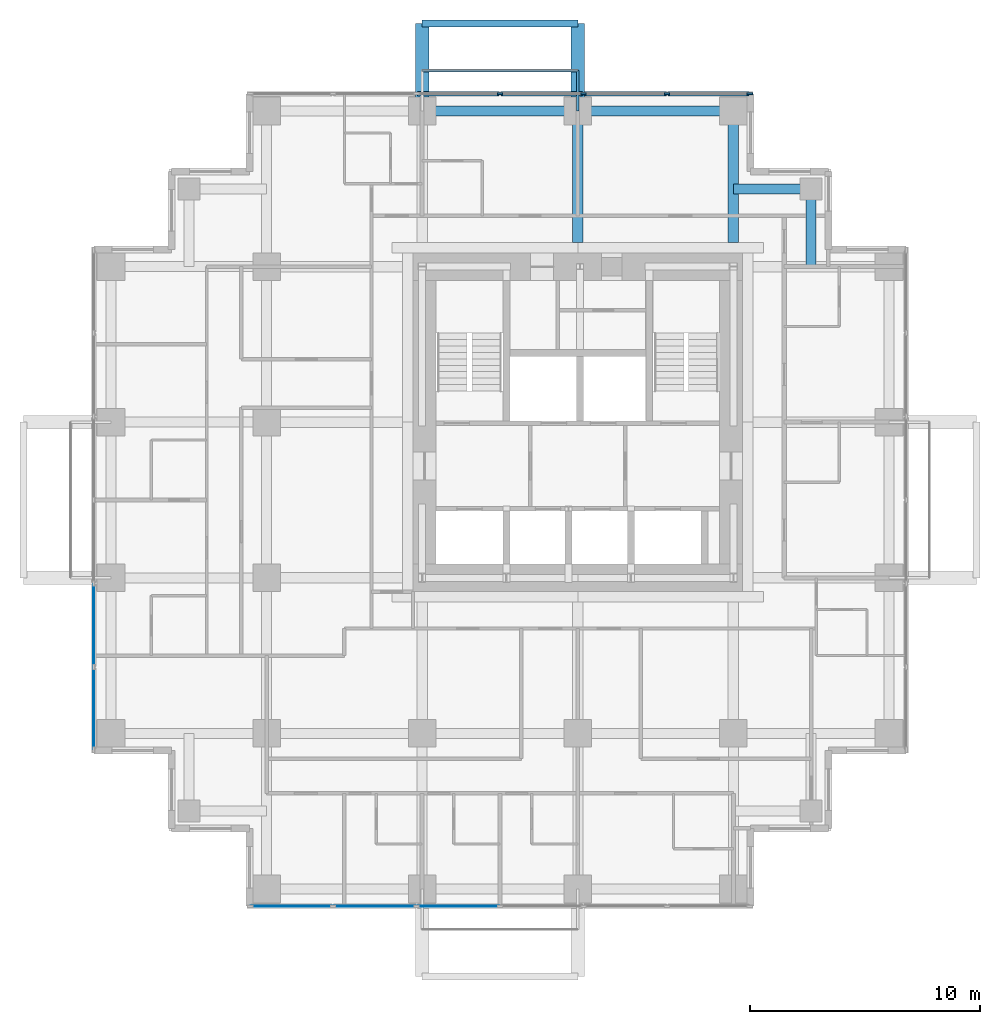
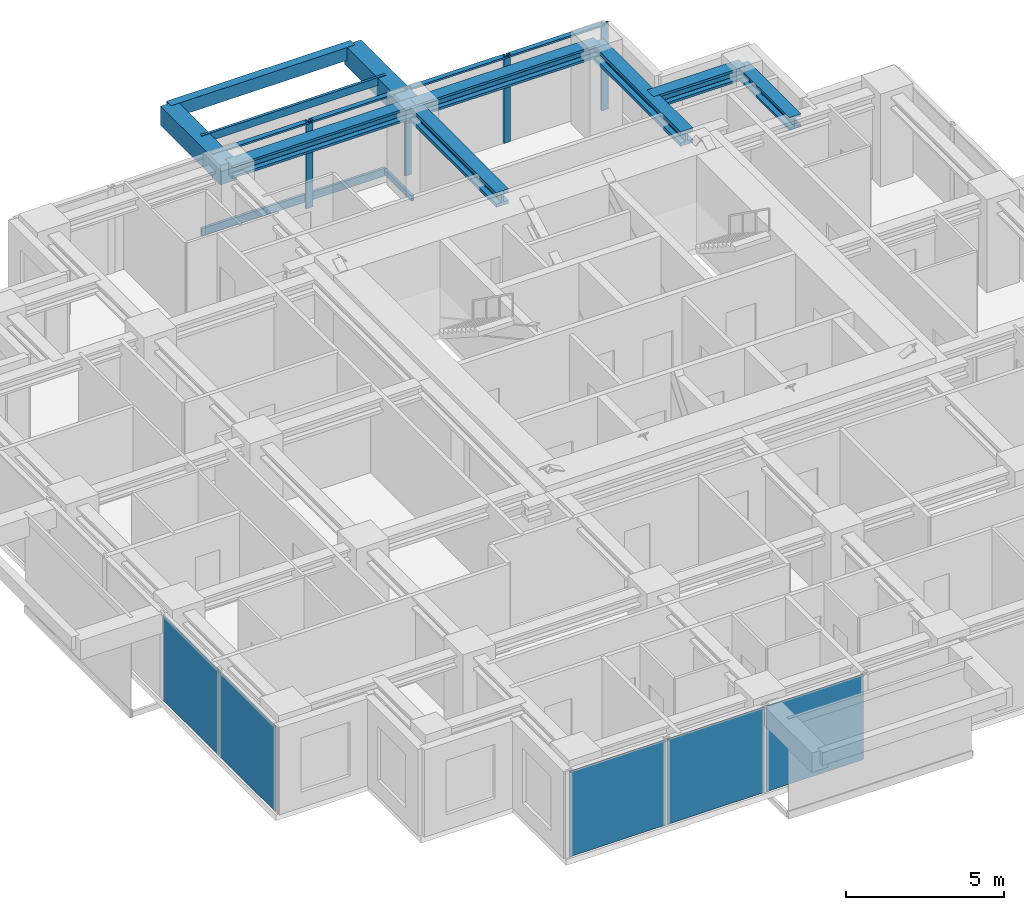
# One storey, part 4 of 10: 11 members, 9 beams, 5 plates, 3 elements without a shape of their own.
"""IFC4 building model written with IfcOpenShell, lengths in metres."""

from ifc_helpers import new_model, si_unit, direction, frame, origin, origin_2d, place, context, subcontext, project, spatial, rectangle, hollow_rectangle, i_section, extrude, material, layer, layer_set, material_profile, profile_set, type_object, element, aggregate, save


model = new_model("IFC4")

# Units and contexts
model_context = context("Model", 3, precision=1e-05, world=origin(), true_north=direction((0.0, 1.0)))
body_context = subcontext(model_context, "Body", "Model", "MODEL_VIEW")
ifc_project = project(units=[si_unit("LENGTHUNIT", "METRE"), si_unit("AREAUNIT", "SQUARE_METRE"), si_unit("VOLUMEUNIT", "CUBIC_METRE"), si_unit("PLANEANGLEUNIT", "RADIAN"), si_unit("MASSUNIT", "GRAM", prefix="KILO")], contexts=[model_context])

# Site, building, storey
site_placement = place(None, origin())
site = spatial("IfcSite", under=ifc_project, at=site_placement, CompositionType="ELEMENT")
building_placement = place(site_placement, origin())
building = spatial("IfcBuilding", under=site, at=building_placement, Name="Nyansa Garden Tower", CompositionType="ELEMENT")
storey_placement = place(building_placement, frame((0.0, 0.0, 174.60009765625)))
storey = spatial("IfcBuildingStorey", under=building, at=storey_placement, Name="L47", CompositionType="ELEMENT", Elevation=174.60009765625)

# Beams
ifc_material_1 = material(Name="Concrete C70/85", Category="concrete")
ifc_material_profile_1 = material_profile(ifc_material_1, rectangle(XDim=0.60009765625, YDim=0.75, at=origin_2d()), Name="RC 600x750")
ifc_profile_set_1 = profile_set([ifc_material_profile_1], Name="Concrete C70/85")
beam_type_1 = type_object("IfcBeamType", Name="Balcony cantilever beam CB1 RC 600x750", PredefinedType="BEAM", material=ifc_profile_set_1)
for number, where, z_axis, x_axis, name in (
    (1, (13.5, 33.75, 2.98486328125), (0.0, 1.0, 0.0), (-1.0, 0.0, 0.0), "Balcony cantilever beam L48"),
    (2, (20.25, 33.75, 2.98486328125), (0.0, 1.0, 0.0), (-1.0, 0.0, 0.0), "Balcony cantilever beam L48"),
):
    element("IfcBeam", number, at=place(storey_placement, frame(where, z_axis=z_axis, x_axis=x_axis)), inside=storey, type_object=beam_type_1, Name=name, PredefinedType="BEAM", context=body_context, shape_type="SweptSolid", body=[
        extrude(rectangle(XDim=0.60009765625, YDim=0.75, at=origin_2d()), origin(), (0.0, 0.0, 1.0), 3.800048828125),
    ])
ifc_material_2 = material(Name="Concrete C70/85", Category="concrete")
ifc_material_profile_2 = material_profile(ifc_material_2, rectangle(XDim=0.300048828125, YDim=0.5, at=origin_2d()), Name="RC 300x500")
ifc_profile_set_2 = profile_set([ifc_material_profile_2], Name="Concrete C70/85")
beam_type_2 = type_object("IfcBeamType", Name="Balcony edge beam BE1 RC 300x500", PredefinedType="BEAM", material=ifc_profile_set_2)
beam_placement = place(storey_placement, frame((13.5, 37.550048828125, 3.10986328125), z_axis=(1.0, 0.0, 0.0), x_axis=(0.0, 1.0, 0.0)))
element("IfcBeam", 3, at=beam_placement, inside=storey, type_object=beam_type_2, Name="Balcony edge beam L48", PredefinedType="BEAM", context=body_context, shape_type="SweptSolid", body=[
    extrude(rectangle(XDim=0.300048828125, YDim=0.5, at=origin_2d()), origin(), (0.0, 0.0, 1.0), 6.75),
])

# Curtain wall, members
ifc_material_3 = material(Name="Black anodised aluminium, dark tinted double glazing", Category="aluminium")
curtain_wall_type = type_object("IfcCurtainWallType", Name="Inner skin curtain wall ISW-C", PredefinedType="USERDEFINED", material=ifc_material_3)
curtain_wall_1_placement = place(storey_placement, origin())
curtain_wall_1 = element("IfcCurtainWall", 4, at=curtain_wall_1_placement, inside=storey, type_object=curtain_wall_type, Name="Inner skin curtain wall L47 N", ObjectType="UNITISED CURTAIN WALL", PredefinedType="USERDEFINED")
ifc_material_4 = material(Name="Black anodised aluminium", Category="aluminium")
ifc_material_profile_3 = material_profile(ifc_material_4, rectangle(XDim=0.070068359375, YDim=0.25, at=origin_2d()), Name="Mullion 250x70")
ifc_profile_set_3 = profile_set([ifc_material_profile_3], Name="Black anodised aluminium")
member_type_1 = type_object("IfcMemberType", Name="Mullion ISW-C 250x70", PredefinedType="MULLION", material=ifc_profile_set_3)
member_1_placement = place(storey_placement, frame((27.715087890625, 34.5, 0.0), z_axis=(0.0, 0.0, 1.0), x_axis=(0.0, -1.0, 0.0)))
member_1 = element("IfcMember", 5, at=member_1_placement, type_object=member_type_1, Name="ISW-C mullion 1", PredefinedType="MULLION", context=body_context, shape_type="SweptSolid", body=[
    extrude(rectangle(XDim=0.070068359375, YDim=0.25, at=origin_2d()), origin(), (0.0, 0.0, 1.0), 3.375),
])
member_2_placement = place(storey_placement, frame((24.125, 34.5, 0.0), z_axis=(0.0, 0.0, 1.0), x_axis=(0.0, -1.0, 0.0)))
member_2 = element("IfcMember", 6, at=member_2_placement, type_object=member_type_1, Name="ISW-C mullion 2", PredefinedType="MULLION", context=body_context, shape_type="SweptSolid", body=[
    extrude(rectangle(XDim=0.070068359375, YDim=0.25, at=origin_2d()), origin(), (0.0, 0.0, 1.0), 3.375),
])
member_3_placement = place(storey_placement, frame((20.5, 34.5, 0.0), z_axis=(0.0, 0.0, 1.0), x_axis=(0.0, -1.0, 0.0)))
member_3 = element("IfcMember", 7, at=member_3_placement, type_object=member_type_1, Name="ISW-C mullion 3", PredefinedType="MULLION", context=body_context, shape_type="SweptSolid", body=[
    extrude(rectangle(XDim=0.070068359375, YDim=0.25, at=origin_2d()), origin(), (0.0, 0.0, 1.0), 3.375),
])
member_4_placement = place(storey_placement, frame((16.875, 34.5, 0.0), z_axis=(0.0, 0.0, 1.0), x_axis=(0.0, -1.0, 0.0)))
member_4 = element("IfcMember", 8, at=member_4_placement, type_object=member_type_1, Name="ISW-C mullion 4", PredefinedType="MULLION", context=body_context, shape_type="SweptSolid", body=[
    extrude(rectangle(XDim=0.070068359375, YDim=0.25, at=origin_2d()), origin(), (0.0, 0.0, 1.0), 3.375),
])

# Members
ifc_material_5 = material(Name="Steel S355, black powder coated", Category="steel")
ifc_material_profile_4 = material_profile(ifc_material_5, hollow_rectangle(XDim=0.10009765625, YDim=0.199951171875, WallThickness=0.008056640625, at=origin_2d()), Name="RHS 200x100x8")
ifc_profile_set_4 = profile_set([ifc_material_profile_4], Name="Steel S355, black powder coated")
member_type_2 = type_object("IfcMemberType", Name="Outer skin bracket arm RHS 200x100x8", PredefinedType="USERDEFINED", material=ifc_profile_set_4)
member_5_placement = place(storey_placement, frame((20.25, 33.75, -0.375), z_axis=(0.0, 1.0, 0.0), x_axis=(-1.0, 0.0, 0.0)))
element("IfcMember", 9, at=member_5_placement, inside=storey, type_object=member_type_2, Name="Outer skin bracket arm", ObjectType="OUTER SKIN BRACKET", PredefinedType="USERDEFINED", context=body_context, shape_type="SweptSolid", body=[
    extrude(hollow_rectangle(XDim=0.10009765625, YDim=0.199951171875, WallThickness=0.008056640625, at=origin_2d()), origin(), (0.0, 0.0, 1.0), 1.75),
])
ifc_material_6 = material(Name="Steel S355, black powder coated", Category="steel")
ifc_material_profile_5 = material_profile(ifc_material_6, hollow_rectangle(XDim=0.10009765625, YDim=0.300048828125, WallThickness=0.010009765625, at=origin_2d()), Name="RHS 300x100x10")
ifc_profile_set_5 = profile_set([ifc_material_profile_5], Name="Steel S355, black powder coated")
member_type_3 = type_object("IfcMemberType", Name="Outer skin rail RHS 300x100x10", PredefinedType="USERDEFINED", material=ifc_profile_set_5)
for number, where, z_axis, x_axis, name in (
    (10, (13.5, 35.5, -0.375), (1.0, 0.0, 0.0), (0.0, 1.0, 0.0), "Outer skin rail L47"),
    (11, (13.5, 35.5, 3.224853515625), (1.0, 0.0, 0.0), (0.0, 1.0, 0.0), "Outer skin rail L47 head"),
):
    element("IfcMember", number, at=place(storey_placement, frame(where, z_axis=z_axis, x_axis=x_axis)), inside=storey, type_object=member_type_3, Name=name, ObjectType="OUTER SKIN RAIL", PredefinedType="USERDEFINED", context=body_context, shape_type="SweptSolid", body=[
        extrude(hollow_rectangle(XDim=0.10009765625, YDim=0.300048828125, WallThickness=0.010009765625, at=origin_2d()), origin(), (0.0, 0.0, 1.0), 6.75),
    ])

# Beams
ifc_material_7 = material(Name="Steel S355", Category="steel")
ifc_material_profile_6 = material_profile(ifc_material_7, i_section(OverallWidth=0.4541015625, OverallDepth=0.569091796875, WebThickness=0.077880859375, FlangeThickness=0.125, FilletRadius=0.014892578125, at=origin_2d()), Name="HD 400x1086")
ifc_profile_set_6 = profile_set([ifc_material_profile_6], Name="Steel S355")
beam_type_3 = type_object("IfcBeamType", Name="Steel beam SCL-1086 HD 400x1086", PredefinedType="BEAM", material=ifc_profile_set_6)
for number, where, z_axis, x_axis, name in (
    (12, (20.25, 28.050048828125, 3.09033203125), (0.0, 1.0, 0.0), (-1.0, 0.0, 0.0), "Steel beam 5/28.050-5/J L48"),
    (13, (27.0, 28.050048828125, 3.09033203125), (0.0, 1.0, 0.0), (-1.0, 0.0, 0.0), "Steel beam 6/28.050-6/J L48"),
):
    element("IfcBeam", number, at=place(storey_placement, frame(where, z_axis=z_axis, x_axis=x_axis)), inside=storey, type_object=beam_type_3, Name=name, PredefinedType="BEAM", context=body_context, shape_type="SweptSolid", body=[
        extrude(i_section(OverallWidth=0.4541015625, OverallDepth=0.569091796875, WebThickness=0.077880859375, FlangeThickness=0.125, FilletRadius=0.014892578125, at=origin_2d()), origin(), (0.0, 0.0, 1.0), 5.699951171875),
    ])
ifc_material_8 = material(Name="Steel S355", Category="steel")
ifc_material_profile_7 = material_profile(ifc_material_8, i_section(OverallWidth=0.431884765625, OverallDepth=0.498046875, WebThickness=0.0556640625, FlangeThickness=0.0888671875, FilletRadius=0.014892578125, at=origin_2d()), Name="HD 400x744")
ifc_profile_set_7 = profile_set([ifc_material_profile_7], Name="Steel S355")
beam_type_4 = type_object("IfcBeamType", Name="Steel beam SEBC-744 HD 400x744", PredefinedType="BEAM", material=ifc_profile_set_7)
for number, where, z_axis, x_axis, name in (
    (14, (13.5, 33.75, 3.1259765625), (1.0, 0.0, 0.0), (0.0, 1.0, 0.0), "Steel edge beam 4/J-5/J L48"),
    (15, (20.25, 33.75, 3.1259765625), (1.0, 0.0, 0.0), (0.0, 1.0, 0.0), "Steel edge beam 5/J-6/J L48"),
):
    element("IfcBeam", number, at=place(storey_placement, frame(where, z_axis=z_axis, x_axis=x_axis)), inside=storey, type_object=beam_type_4, Name=name, PredefinedType="BEAM", context=body_context, shape_type="SweptSolid", body=[
        extrude(i_section(OverallWidth=0.431884765625, OverallDepth=0.498046875, WebThickness=0.0556640625, FlangeThickness=0.0888671875, FilletRadius=0.014892578125, at=origin_2d()), origin(), (0.0, 0.0, 1.0), 6.75),
    ])
ifc_material_9 = material(Name="Steel S355", Category="steel")
ifc_material_profile_8 = material_profile(ifc_material_9, i_section(OverallWidth=0.431884765625, OverallDepth=0.498046875, WebThickness=0.0556640625, FlangeThickness=0.0888671875, FilletRadius=0.014892578125, at=origin_2d()), Name="HD 400x744")
ifc_profile_set_8 = profile_set([ifc_material_profile_8], Name="Steel S355")
beam_type_5 = type_object("IfcBeamType", Name="Steel beam SSB1-744 HD 400x744", PredefinedType="BEAM", material=ifc_profile_set_8)
for number, where, z_axis, x_axis, name in (
    (16, (30.375, 30.375, 3.1259765625), (0.0, -1.0, 0.0), (1.0, 0.0, 0.0), "Steel step beam 30.375/30.375 L48"),
    (17, (30.375, 30.375, 3.1259765625), (-1.0, 0.0, 0.0), (0.0, -1.0, 0.0), "Steel step beam 30.375/30.375 L48"),
):
    element("IfcBeam", number, at=place(storey_placement, frame(where, z_axis=z_axis, x_axis=x_axis)), inside=storey, type_object=beam_type_5, Name=name, PredefinedType="BEAM", context=body_context, shape_type="SweptSolid", body=[
        extrude(i_section(OverallWidth=0.431884765625, OverallDepth=0.498046875, WebThickness=0.0556640625, FlangeThickness=0.0888671875, FilletRadius=0.014892578125, at=origin_2d()), origin(), (0.0, 0.0, 1.0), 3.375),
    ])

# Member
ifc_material_10 = material(Name="Black anodised aluminium", Category="aluminium")
ifc_material_profile_9 = material_profile(ifc_material_10, rectangle(XDim=0.179931640625, YDim=0.070068359375, at=origin_2d()), Name="Transom 180x70")
ifc_profile_set_9 = profile_set([ifc_material_profile_9], Name="Black anodised aluminium")
member_type_4 = type_object("IfcMemberType", Name="Transom ISW-C 180x70", PredefinedType="USERDEFINED", material=ifc_profile_set_9)
member_6_placement = place(storey_placement, frame((27.679931640625, 34.5, 3.33984375), z_axis=(-1.0, 0.0, 0.0), x_axis=(0.0, -1.0, 0.0)))
member_6 = element("IfcMember", 18, at=member_6_placement, type_object=member_type_4, Name="ISW-C transom 1", ObjectType="TRANSOM", PredefinedType="USERDEFINED", context=body_context, shape_type="SweptSolid", body=[
    extrude(rectangle(XDim=0.179931640625, YDim=0.070068359375, at=origin_2d()), origin(), (0.0, 0.0, 1.0), 3.52001953125),
])

member_7_placement = place(storey_placement, frame((24.090087890625, 34.5, 3.33984375), z_axis=(-1.0, 0.0, 0.0), x_axis=(0.0, -1.0, 0.0)))
member_7 = element("IfcMember", 19, at=member_7_placement, type_object=member_type_4, Name="ISW-C transom 2", ObjectType="TRANSOM", PredefinedType="USERDEFINED", context=body_context, shape_type="SweptSolid", body=[
    extrude(rectangle(XDim=0.179931640625, YDim=0.070068359375, at=origin_2d()), origin(), (0.0, 0.0, 1.0), 3.55517578125),
])

member_8_placement = place(storey_placement, frame((20.465087890625, 34.5, 3.33984375), z_axis=(-1.0, 0.0, 0.0), x_axis=(0.0, -1.0, 0.0)))
member_8 = element("IfcMember", 20, at=member_8_placement, type_object=member_type_4, Name="ISW-C transom 3", ObjectType="TRANSOM", PredefinedType="USERDEFINED", context=body_context, shape_type="SweptSolid", body=[
    extrude(rectangle(XDim=0.179931640625, YDim=0.070068359375, at=origin_2d()), origin(), (0.0, 0.0, 1.0), 3.55517578125),
])

member_9_placement = place(storey_placement, frame((16.840087890625, 34.5, 3.33984375), z_axis=(-1.0, 0.0, 0.0), x_axis=(0.0, -1.0, 0.0)))
member_9 = element("IfcMember", 21, at=member_9_placement, type_object=member_type_4, Name="ISW-C transom 4", ObjectType="TRANSOM", PredefinedType="USERDEFINED", context=body_context, shape_type="SweptSolid", body=[
    extrude(rectangle(XDim=0.179931640625, YDim=0.070068359375, at=origin_2d()), origin(), (0.0, 0.0, 1.0), 3.55517578125),
])

aggregate(curtain_wall_1, [member_1, member_2, member_3, member_4, member_6, member_7, member_8, member_9])

# Curtain wall, plates
curtain_wall_2_placement = place(storey_placement, origin())
curtain_wall_2 = element("IfcCurtainWall", 22, at=curtain_wall_2_placement, inside=storey, type_object=curtain_wall_type, Name="Inner skin curtain wall L47 W", ObjectType="UNITISED CURTAIN WALL", PredefinedType="USERDEFINED")
ifc_material_11 = material(Name="Dark tinted laminated double glazing", Category="glass")
ifc_layer = layer(ifc_material_11, 0.0400390625)
ifc_layer_set = layer_set([ifc_layer], Name="Dark tinted vision panel VP-C")
plate_type = type_object("IfcPlateType", Name="Dark tinted vision panel VP-C", PredefinedType="CURTAIN_PANEL", material=ifc_layer_set)
plate_1_placement = place(storey_placement, frame((-0.75, 11.4375, 0.0), z_axis=(0.0, 0.0, 1.0), x_axis=(0.0, -1.0, 0.0)))
plate_1 = element("IfcPlate", 23, at=plate_1_placement, type_object=plate_type, Name="ISW-C panel 5", PredefinedType="CURTAIN_PANEL", context=body_context, shape_type="SweptSolid", body=[
    extrude(rectangle(XDim=3.554931640625, YDim=0.0400390625, at=origin_2d()), origin(), (0.0, 0.0, 1.0), 3.304931640625),
])
plate_2_placement = place(storey_placement, frame((-0.75, 7.830078125, 0.0), z_axis=(0.0, 0.0, 1.0), x_axis=(0.0, -1.0, 0.0)))
plate_2 = element("IfcPlate", 24, at=plate_2_placement, type_object=plate_type, Name="ISW-C panel 6", PredefinedType="CURTAIN_PANEL", context=body_context, shape_type="SweptSolid", body=[
    extrude(rectangle(XDim=3.52001953125, YDim=0.0400390625, at=origin_2d()), origin(), (0.0, 0.0, 1.0), 3.304931640625),
])
aggregate(curtain_wall_2, [plate_1, plate_2])

curtain_wall_3_placement = place(storey_placement, origin())
curtain_wall_3 = element("IfcCurtainWall", 25, at=curtain_wall_3_placement, inside=storey, type_object=curtain_wall_type, Name="Inner skin curtain wall L47 S", ObjectType="UNITISED CURTAIN WALL", PredefinedType="USERDEFINED")
plate_3_placement = place(storey_placement, frame((7.830078125, -0.75, 0.0), z_axis=(0.0, 0.0, 1.0), x_axis=(1.0, 0.0, 0.0)))
plate_3 = element("IfcPlate", 26, at=plate_3_placement, type_object=plate_type, Name="ISW-C panel 1", PredefinedType="CURTAIN_PANEL", context=body_context, shape_type="SweptSolid", body=[
    extrude(rectangle(XDim=3.52001953125, YDim=0.0400390625, at=origin_2d()), origin(), (0.0, 0.0, 1.0), 3.304931640625),
])
plate_4_placement = place(storey_placement, frame((11.4375, -0.75, 0.0), z_axis=(0.0, 0.0, 1.0), x_axis=(1.0, 0.0, 0.0)))
plate_4 = element("IfcPlate", 27, at=plate_4_placement, type_object=plate_type, Name="ISW-C panel 2", PredefinedType="CURTAIN_PANEL", context=body_context, shape_type="SweptSolid", body=[
    extrude(rectangle(XDim=3.554931640625, YDim=0.0400390625, at=origin_2d()), origin(), (0.0, 0.0, 1.0), 3.304931640625),
])
plate_5_placement = place(storey_placement, frame((15.0625, -0.75, 0.0), z_axis=(0.0, 0.0, 1.0), x_axis=(1.0, 0.0, 0.0)))
plate_5 = element("IfcPlate", 28, at=plate_5_placement, type_object=plate_type, Name="ISW-C panel 3", PredefinedType="CURTAIN_PANEL", context=body_context, shape_type="SweptSolid", body=[
    extrude(rectangle(XDim=3.554931640625, YDim=0.0400390625, at=origin_2d()), origin(), (0.0, 0.0, 1.0), 3.304931640625),
])
aggregate(curtain_wall_3, [plate_3, plate_4, plate_5])

save(model, "model.ifc")
